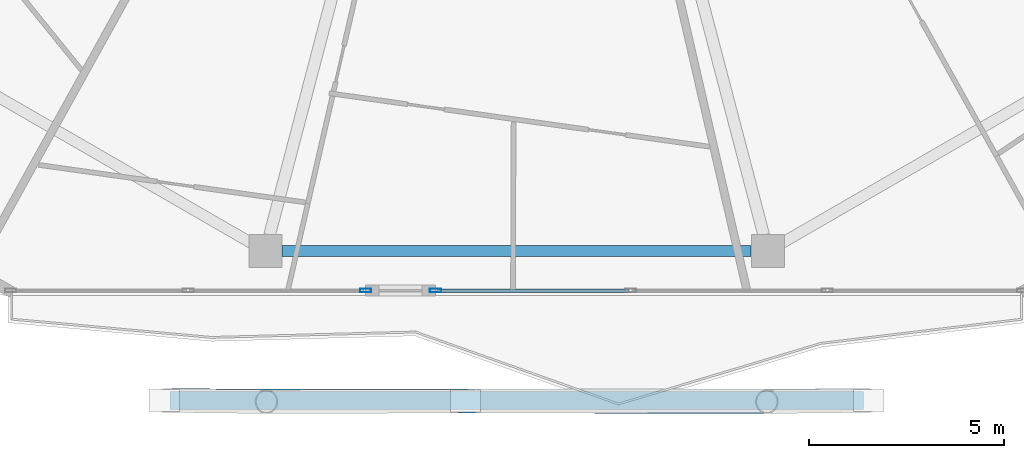
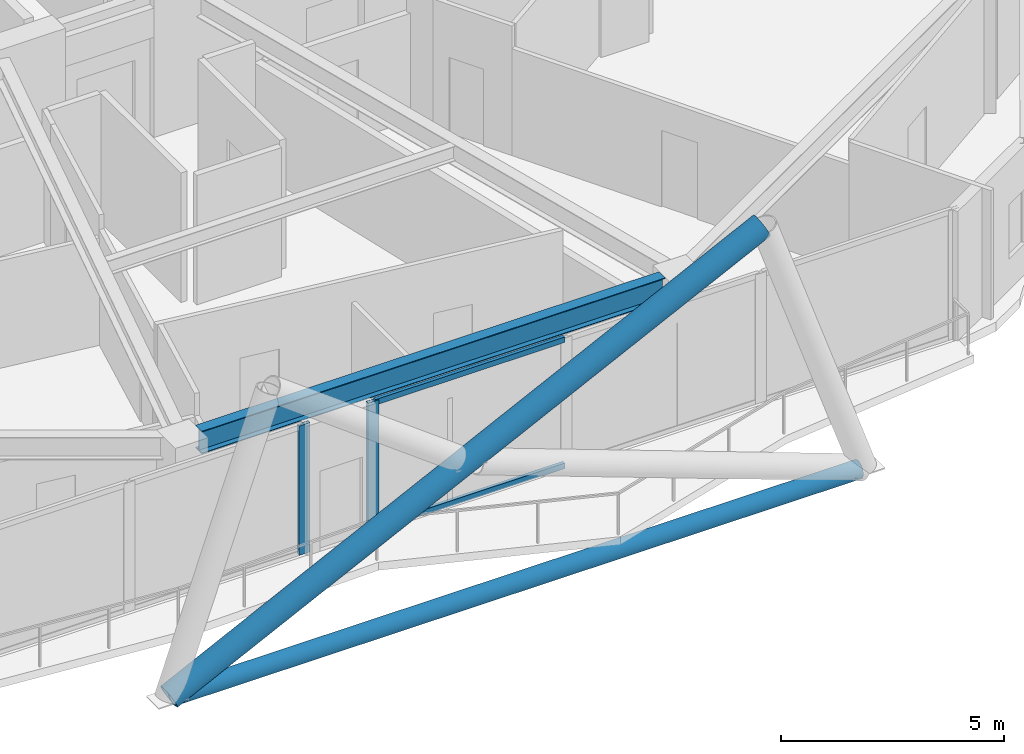
# One storey, part 4 of 27: 6 members, 1 beam, 2 elements without a shape of their own.
"""IFC4 building model written with IfcOpenShell, lengths in metres."""

from ifc_helpers import new_model, si_unit, direction, frame, origin, origin_2d, place, context, subcontext, project, spatial, hollow_rectangle, hollow_circle, i_section, extrude, material, material_profile, profile_set, type_object, element, aggregate, save


model = new_model("IFC4")

# Units and contexts
model_context = context("Model", 3, precision=1e-05, world=origin(), true_north=direction((0.0, 1.0)))
body_context = subcontext(model_context, "Body", "Model", "MODEL_VIEW")
ifc_project = project(units=[si_unit("LENGTHUNIT", "METRE"), si_unit("AREAUNIT", "SQUARE_METRE"), si_unit("VOLUMEUNIT", "CUBIC_METRE"), si_unit("PLANEANGLEUNIT", "RADIAN"), si_unit("MASSUNIT", "GRAM", prefix="KILO")], contexts=[model_context])

# Site, building, storey
site_placement = place(None, origin())
site = spatial("IfcSite", under=ifc_project, at=site_placement, CompositionType="ELEMENT")
building_placement = place(site_placement, origin())
building = spatial("IfcBuilding", under=site, at=building_placement, Name="Zuhravey Tower", CompositionType="ELEMENT")
storey_placement = place(building_placement, frame((0.0, 0.0, 276.800048828125)))
storey = spatial("IfcBuildingStorey", under=building, at=storey_placement, Name="L70", CompositionType="ELEMENT", Elevation=276.800048828125)

# Curtain wall, member
ifc_material_1 = material(Name="Thermally broken anodised aluminium", Category="aluminium")
curtain_wall_type = type_object("IfcCurtainWallType", Name="Zone 3-4 High-Rise Curtain Wall CW4", PredefinedType="NOTDEFINED", material=ifc_material_1)
curtain_wall_1_placement = place(storey_placement, origin())
curtain_wall_1 = element("IfcCurtainWall", 1, at=curtain_wall_1_placement, inside=storey, type_object=curtain_wall_type, Name="L70 CW4 CW-L70-F5-1", PredefinedType="NOTDEFINED")
ifc_material_2 = material(Name="Anodised aluminium", Category="aluminium")
ifc_material_profile_1 = material_profile(ifc_material_2, hollow_rectangle(XDim=0.090087890625, YDim=0.284912109375, WallThickness=0.0048828125, at=origin_2d()), Name="ALU-RHS-90x285x5")
ifc_profile_set_1 = profile_set([ifc_material_profile_1], Name="Anodised aluminium")
member_type_1 = type_object("IfcMemberType", Name="Curtain-Wall Mullion 90x180", PredefinedType="MULLION", material=ifc_profile_set_1)
member_1_placement = place(storey_placement, frame((33.918701171875, 6.436279296875, 0.0), z_axis=(0.0, 0.0, 1.0), x_axis=(0.0, -1.0, 0.0)))
member_1 = element("IfcMember", 2, at=member_1_placement, type_object=member_type_1, Name="CW4 mullion 4", PredefinedType="MULLION", context=body_context, shape_type="SweptSolid", body=[
    extrude(hollow_rectangle(XDim=0.090087890625, YDim=0.284912109375, WallThickness=0.0048828125, at=origin_2d()), origin(), (0.0, 0.0, 1.0), 3.550048828125),
])

curtain_wall_2_placement = place(storey_placement, origin())
curtain_wall_2 = element("IfcCurtainWall", 3, at=curtain_wall_2_placement, inside=storey, type_object=curtain_wall_type, Name="L70 CW4 CW-L70-F5-2", PredefinedType="NOTDEFINED")
member_2_placement = place(storey_placement, frame((32.128662109375, 6.436279296875, 0.0), z_axis=(0.0, 0.0, 1.0), x_axis=(0.0, -1.0, 0.0)))
member_2 = element("IfcMember", 4, at=member_2_placement, type_object=member_type_1, Name="CW4 mullion 1", PredefinedType="MULLION", context=body_context, shape_type="SweptSolid", body=[
    extrude(hollow_rectangle(XDim=0.090087890625, YDim=0.284912109375, WallThickness=0.0048828125, at=origin_2d()), origin(), (0.0, 0.0, 1.0), 3.550048828125),
])
aggregate(curtain_wall_2, [member_2])

# Member
ifc_material_profile_2 = material_profile(ifc_material_2, hollow_rectangle(XDim=0.090087890625, YDim=0.14990234375, WallThickness=0.0048828125, at=origin_2d()), Name="ALU-RHS-90x150x5")
ifc_profile_set_2 = profile_set([ifc_material_profile_2], Name="Anodised aluminium")
member_type_2 = type_object("IfcMemberType", Name="Curtain-Wall Transom 90x150", PredefinedType="USERDEFINED", material=ifc_profile_set_2)
member_3_placement = place(storey_placement, frame((38.875, 6.436279296875, 0.044921875), z_axis=(-1.0, 0.0, 0.0), x_axis=(0.0, -1.0, 0.0)))
member_3 = element("IfcMember", 5, at=member_3_placement, type_object=member_type_2, Name="CW4 transom 3.1", ObjectType="TRANSOM", PredefinedType="USERDEFINED", context=body_context, shape_type="SweptSolid", body=[
    extrude(hollow_rectangle(XDim=0.090087890625, YDim=0.14990234375, WallThickness=0.0048828125, at=origin_2d()), origin(), (0.0, 0.0, 1.0), 4.911376953125),
])

member_4_placement = place(storey_placement, frame((38.875, 6.436279296875, 3.5048828125), z_axis=(-1.0, 0.0, 0.0), x_axis=(0.0, -1.0, 0.0)))
member_4 = element("IfcMember", 6, at=member_4_placement, type_object=member_type_2, Name="CW4 transom 3.2", ObjectType="TRANSOM", PredefinedType="USERDEFINED", context=body_context, shape_type="SweptSolid", body=[
    extrude(hollow_rectangle(XDim=0.090087890625, YDim=0.14990234375, WallThickness=0.0048828125, at=origin_2d()), origin(), (0.0, 0.0, 1.0), 4.911376953125),
])

aggregate(curtain_wall_1, [member_1, member_3, member_4])

# Members
ifc_material_3 = material(Name="Steel SM355", Category="steel")
ifc_material_profile_3 = material_profile(ifc_material_3, hollow_circle(Radius=0.228515625, WallThickness=0.02197265625, at=origin_2d()), Name="CHS-457.2x22")
ifc_profile_set_3 = profile_set([ifc_material_profile_3], Name="Steel SM355")
member_type_3 = type_object("IfcMemberType", Name="Exoskeleton Ring Tie CHS457x22", PredefinedType="CHORD", material=ifc_profile_set_3)
member_5_placement = place(storey_placement, frame((27.111083984375, 3.616455078125, -0.464111328125), z_axis=(1.0, 0.0, 0.0), x_axis=(0.0, 1.0, 0.0)))
element("IfcMember", 7, at=member_5_placement, inside=storey, type_object=member_type_3, Name="L70 Exoskeleton Face 5 Tie EXR1", PredefinedType="CHORD", context=body_context, shape_type="SweptSolid", body=[
    extrude(hollow_circle(Radius=0.228515625, WallThickness=0.02197265625, at=origin_2d()), origin(), (0.0, 0.0, 1.0), 17.77783203125),
])
ifc_material_profile_4 = material_profile(ifc_material_3, hollow_circle(Radius=0.3046875, WallThickness=0.028076171875, at=origin_2d()), Name="CHS-609.6x28")
ifc_profile_set_4 = profile_set([ifc_material_profile_4], Name="Steel SM355")
member_type_4 = type_object("IfcMemberType", Name="Exoskeleton Zone 3 Diagrid CHS610x28", PredefinedType="BRACE", material=ifc_profile_set_4)
member_6_placement = place(storey_placement, frame((27.007568359375, 3.6162109375, -0.446044921875), z_axis=(0.897160453497, -0.001739318523, 0.441701364558), x_axis=(0.001938689169, 0.99999812074, 0.0)))
element("IfcMember", 8, at=member_6_placement, inside=storey, type_object=member_type_4, Name="L70 Face 5 Diagrid Brace 2", PredefinedType="BRACE", context=body_context, shape_type="SweptSolid", body=[
    extrude(hollow_circle(Radius=0.3046875, WallThickness=0.028076171875, at=origin_2d()), origin(), (0.0, 0.0, 1.0), 17.12451171875),
])

# Beam
ifc_material_profile_5 = material_profile(ifc_material_3, i_section(OverallWidth=0.280029296875, OverallDepth=0.6201171875, WebThickness=0.011962890625, FlangeThickness=0.02001953125, at=origin_2d()), Name="H-620x280x12x20")
ifc_profile_set_5 = profile_set([ifc_material_profile_5], Name="Steel SM355")
beam_type = type_object("IfcBeamType", Name="Perimeter Ring Beam H620x280", PredefinedType="BEAM", material=ifc_profile_set_5)
beam_placement = place(storey_placement, frame((29.987060546875, 7.4462890625, 3.239990234375), z_axis=(1.0, 0.0, 0.0), x_axis=(0.0, 1.0, 0.0)))
element("IfcBeam", 9, at=beam_placement, inside=storey, type_object=beam_type, Name="L70 PB3 BM-L70-PB-09", PredefinedType="BEAM", context=body_context, shape_type="SweptSolid", body=[
    extrude(i_section(OverallWidth=0.280029296875, OverallDepth=0.6201171875, WebThickness=0.011962890625, FlangeThickness=0.02001953125, at=origin_2d()), origin(), (0.0, 0.0, 1.0), 12.02587890625),
])

save(model, "model.ifc")
